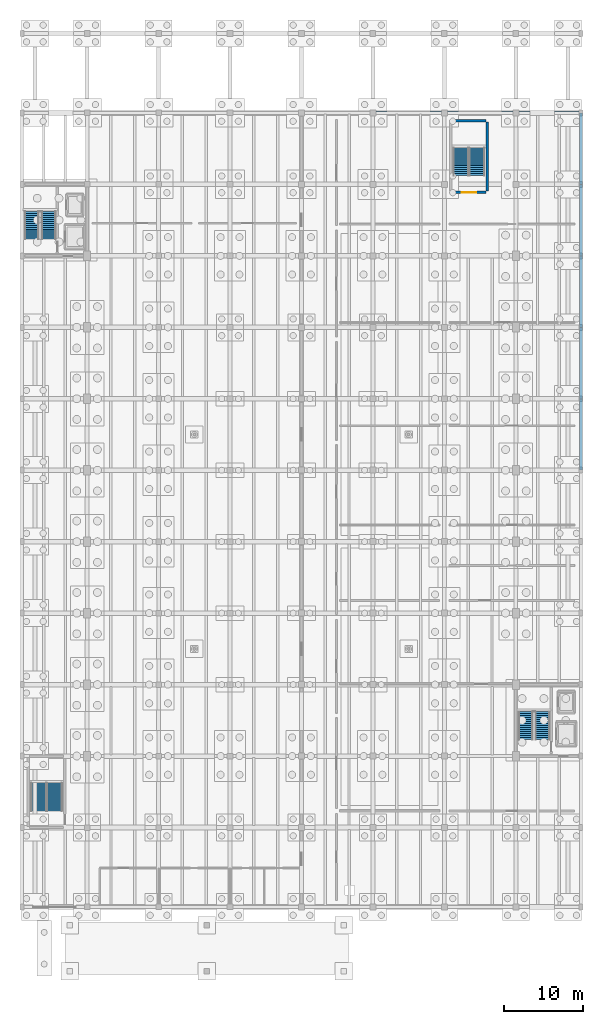
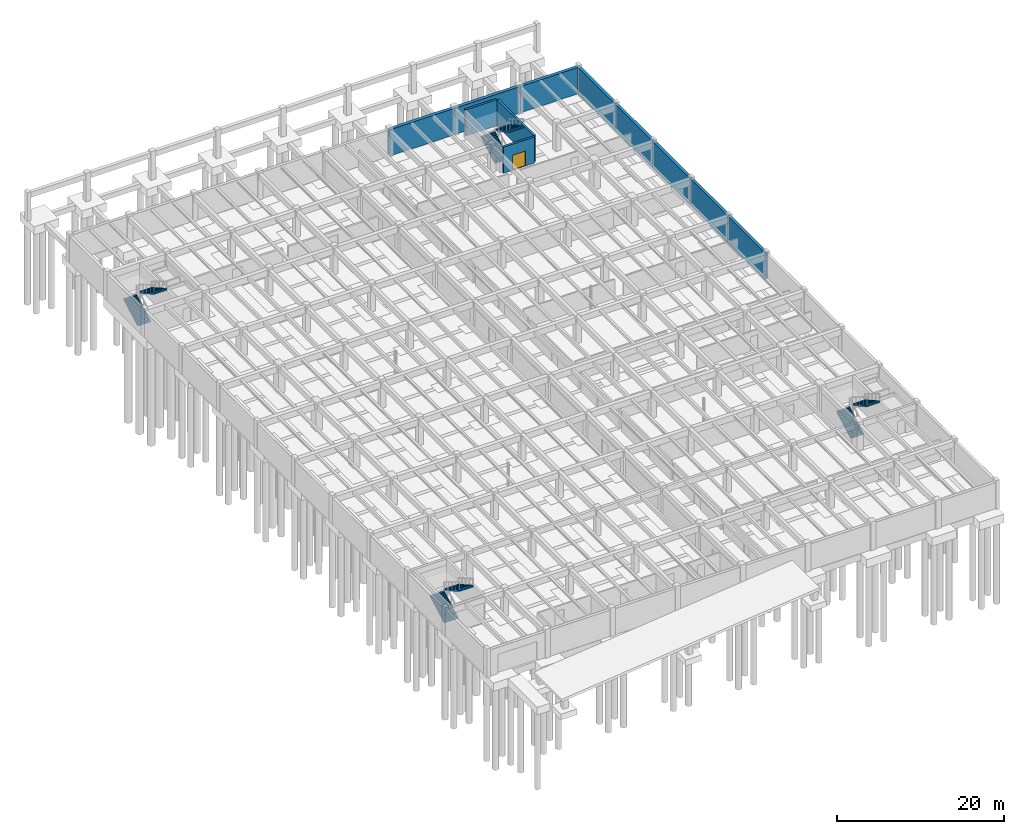
# One storey, part 21 of 23: 11 walls, 8 stair flights, 1 door, 1 opening, 4 elements without a shape of their own.
"""IFC4 building model written with IfcOpenShell, lengths in metres."""

from ifc_helpers import new_model, si_unit, direction, frame, frame_2d, origin, place, context, subcontext, project, spatial, polyline, rectangle, outline, extrude, material, layer, layer_set, type_object, element, fill, aggregate, save


model = new_model("IFC4")

# Units and contexts
model_context = context("Model", 3, precision=1e-05, world=origin(), true_north=direction((0.0, 1.0)))
body_context = subcontext(model_context, "Body", "Model", "MODEL_VIEW")
ifc_project = project(units=[si_unit("LENGTHUNIT", "METRE"), si_unit("AREAUNIT", "SQUARE_METRE"), si_unit("VOLUMEUNIT", "CUBIC_METRE"), si_unit("PLANEANGLEUNIT", "RADIAN"), si_unit("MASSUNIT", "GRAM", prefix="KILO")], contexts=[model_context])

# Site, building, storey
site_placement = place(None, origin())
site = spatial("IfcSite", under=ifc_project, at=site_placement, CompositionType="ELEMENT")
building_placement = place(site_placement, origin())
building = spatial("IfcBuilding", under=site, at=building_placement, Name="Ornek Quay Market", CompositionType="ELEMENT")
storey_placement = place(building_placement, frame((0.0, 0.0, -4.199951171875)))
storey = spatial("IfcBuildingStorey", under=building, at=storey_placement, Name="B1", CompositionType="ELEMENT", Elevation=-4.199951171875)

# Wall
ifc_material_1 = material(Name="Concrete C40/50", Category="concrete")
ifc_layer_1 = layer(ifc_material_1, 0.300048828125, Name="Concrete C40/50", Category="concrete")
ifc_layer_set_1 = layer_set([ifc_layer_1], Name="Concrete C40/50")
wall_type_1 = type_object("IfcWallType", Name="WL-CORE-300", PredefinedType="SHEAR", material=ifc_layer_set_1)
wall_1_placement = place(storey_placement, frame((113.39990234375, 100.14990234375, 0.0), z_axis=(0.0, 0.0, 1.0), x_axis=(0.0, 1.0, 0.0)))
element("IfcWall", 1, at=wall_1_placement, inside=storey, type_object=wall_type_1, Name="Interior wall W-CORE1-177", PredefinedType="SHEAR", context=body_context, shape_type="SweptSolid", body=[
    extrude(rectangle(XDim=8.7001953125, YDim=0.300048828125, at=frame_2d((4.35009765625, 0.0))), origin(), (0.0, 0.0, 1.0), 3.820068359375),
])

# Wall, opening, door
wall_2_placement = place(storey_placement, frame((108.949951171875, 100.0, 0.0), z_axis=(0.0, 0.0, 1.0), x_axis=(1.0, 0.0, 0.0)))
wall_2 = element("IfcWall", 2, at=wall_2_placement, inside=storey, type_object=wall_type_1, Name="Interior wall W-CORE1-178", PredefinedType="SHEAR", context=body_context, shape_type="SweptSolid", body=[
    extrude(rectangle(XDim=4.300048828125, YDim=0.300048828125, at=frame_2d((2.14990234375, 0.0))), origin(), (0.0, 0.0, 1.0), 3.820068359375),
])
opening_placement = place(wall_2_placement, frame((1.25, 0.0, 0.0)))
opening = element("IfcOpeningElement", 3, at=opening_placement, cuts=wall_2, Name="Opening FD-01-070", PredefinedType="OPENING", context=body_context, shape_type="SweptSolid", body=[
    extrude(rectangle(XDim=1.800048828125, YDim=2.199951171875, at=frame_2d((0.89990234375, 1.10009765625))), frame((0.0, 0.159912109375, 0.0), z_axis=(0.0, -1.0, 0.0), x_axis=(1.0, 0.0, 0.0)), (0.0, 0.0, 1.0), 0.320068359375),
])
ifc_material_2 = material(Name="Insulated fire-rated painted steel", Category="steel")
door_type = type_object("IfcDoorType", Name="DR-FIRE-DBL-1800x2200", OperationType="DOUBLE_DOOR_SINGLE_SWING", PredefinedType="DOOR", material=ifc_material_2)
door_placement = place(opening_placement, origin())
door = element("IfcDoor", 4, at=door_placement, inside=storey, type_object=door_type, Name="Interior door FD-01-070", OperationType="DOUBLE_DOOR_SINGLE_SWING", OverallHeight=2.199951171875, OverallWidth=1.800048828125, PredefinedType="DOOR", context=body_context, shape_type="SweptSolid", body=[
    extrude(rectangle(XDim=1.800048828125, YDim=2.199951171875, at=frame_2d((0.89990234375, 1.10009765625))), frame((0.0, 0.02490234375, 0.0), z_axis=(0.0, -1.0, 0.0), x_axis=(1.0, 0.0, 0.0)), (0.0, 0.0, 1.0), 0.050048828125),
])
fill(opening, door)

# Walls
wall_3_placement = place(storey_placement, frame((108.949951171875, 109.0, 0.0), z_axis=(0.0, 0.0, 1.0), x_axis=(1.0, 0.0, 0.0)))
element("IfcWall", 5, at=wall_3_placement, inside=storey, type_object=wall_type_1, Name="Interior wall W-CORE1-179", PredefinedType="SHEAR", context=body_context, shape_type="SweptSolid", body=[
    extrude(rectangle(XDim=4.300048828125, YDim=0.300048828125, at=frame_2d((2.14990234375, 0.0))), origin(), (0.0, 0.0, 1.0), 3.820068359375),
])
ifc_material_3 = material(Name="Concrete C35/45", Category="concrete")
ifc_layer_2 = layer(ifc_material_3, 0.39990234375, Name="Concrete C35/45", Category="concrete")
ifc_layer_set_2 = layer_set([ifc_layer_2], Name="Concrete C35/45")
wall_type_2 = type_object("IfcWallType", Name="WL-RET-400", PredefinedType="USERDEFINED", material=ifc_layer_set_2)
for number, where, z_axis, x_axis, name in (
    (6, (125.199951171875, 65.0, 0.0), (0.0, 0.0, 1.0), (0.0, 1.0, 0.0), "Exterior wall EW-030"),
    (7, (125.199951171875, 74.0, 0.0), (0.0, 0.0, 1.0), (0.0, 1.0, 0.0), "Exterior wall EW-032"),
    (8, (125.199951171875, 83.0, 0.0), (0.0, 0.0, 1.0), (0.0, 1.0, 0.0), "Exterior wall EW-034"),
    (9, (125.199951171875, 92.0, 0.0), (0.0, 0.0, 1.0), (0.0, 1.0, 0.0), "Exterior wall EW-036"),
    (10, (125.199951171875, 101.0, 0.0), (0.0, 0.0, 1.0), (0.0, 1.0, 0.0), "Exterior wall EW-038"),
):
    element("IfcWall", number, at=place(storey_placement, frame(where, z_axis=z_axis, x_axis=x_axis)), inside=storey, type_object=wall_type_2, Name=name, ObjectType="RETAINING WALL", PredefinedType="USERDEFINED", context=body_context, shape_type="SweptSolid", body=[
        extrude(rectangle(XDim=9.0, YDim=0.39990234375, at=frame_2d((4.5, 0.0))), origin(), (0.0, 0.0, 1.0), 3.85986328125),
    ])
ifc_layer_3 = layer(ifc_material_3, 0.449951171875, Name="Concrete C35/45", Category="concrete")
ifc_layer_set_3 = layer_set([ifc_layer_3], Name="Concrete C35/45")
wall_type_3 = type_object("IfcWallType", Name="WL-RET-450", PredefinedType="USERDEFINED", material=ifc_layer_set_3)
for number, where, z_axis, x_axis, name in (
    (11, (99.0, 110.0, 0.0), (0.0, 0.0, 1.0), (1.0, 0.0, 0.0), "Exterior wall EW-012"),
    (12, (108.0, 110.0, 0.0), (0.0, 0.0, 1.0), (1.0, 0.0, 0.0), "Exterior wall EW-014"),
):
    element("IfcWall", number, at=place(storey_placement, frame(where, z_axis=z_axis, x_axis=x_axis)), inside=storey, type_object=wall_type_3, Name=name, ObjectType="RETAINING WALL", PredefinedType="USERDEFINED", context=body_context, shape_type="SweptSolid", body=[
        extrude(rectangle(XDim=9.0, YDim=0.449951171875, at=frame_2d((4.5, 0.0))), origin(), (0.0, 0.0, 1.0), 3.85986328125),
    ])
wall_4_placement = place(storey_placement, frame((117.0, 110.0, 0.0), z_axis=(0.0, 0.0, 1.0), x_axis=(1.0, 0.0, 0.0)))
element("IfcWall", 13, at=wall_4_placement, inside=storey, type_object=wall_type_3, Name="Exterior wall EW-016", ObjectType="RETAINING WALL", PredefinedType="USERDEFINED", context=body_context, shape_type="SweptSolid", body=[
    extrude(rectangle(XDim=8.199951171875, YDim=0.449951171875, at=frame_2d((4.10009765625, 0.0))), origin(), (0.0, 0.0, 1.0), 3.85986328125),
])

# Stair, stair flights
ifc_material_4 = material(Name="Precast concrete C40/50", Category="concrete")
stair_type = type_object("IfcStairType", Name="ST-CORE-B1-L00", PredefinedType="HALF_TURN_STAIR", material=ifc_material_4)
stair_1_placement = place(storey_placement, origin())
stair_1 = element("IfcStair", 14, at=stair_1_placement, inside=storey, type_object=stair_type, Name="Core stair ST-03-B1 (B1 to L00)", PredefinedType="HALF_TURN_STAIR")
stair_flight_type = type_object("IfcStairFlightType", Name="STF-1800-WAIST200", PredefinedType="STRAIGHT", material=ifc_material_4)
stair_flight_1_placement = place(storey_placement, frame((56.0, 94.095947265625, 0.0), z_axis=(0.0, 0.0, 1.0), x_axis=(0.0, 1.0, 0.0)))
stair_flight_1 = element("IfcStairFlight", 15, at=stair_flight_1_placement, type_object=stair_flight_type, Name="ST-03-B1 flight 1", NumberOfRisers=15, NumberOfTreads=14, PredefinedType="STRAIGHT", RiserHeight=0.14, TreadLength=0.25, context=body_context, shape_type="SweptSolid", body=[
    extrude(outline(polyline([(0.0, 0.0), (0.0, 0.139892578125), (0.25, 0.139892578125), (0.25, 0.280029296875), (0.5, 0.280029296875), (0.5, 0.419921875), (0.75, 0.419921875), (0.75, 0.56005859375), (1.0, 0.56005859375), (1.0, 0.699951171875), (1.25, 0.699951171875), (1.25, 0.840087890625), (1.5, 0.840087890625), (1.5, 0.97998046875), (1.75, 0.97998046875), (1.75, 1.1201171875), (2.0, 1.1201171875), (2.0, 1.260009765625), (2.25, 1.260009765625), (2.25, 1.39990234375), (2.5, 1.39990234375), (2.5, 1.5400390625), (2.75, 1.5400390625), (2.75, 1.679931640625), (3.0, 1.679931640625), (3.0, 1.820068359375), (3.25, 1.820068359375), (3.25, 1.9599609375), (3.5, 1.9599609375), (3.5, 2.10009765625), (3.5, 1.770751953125), (0.337890625, 0.0), (0.0, 0.0)])), frame((0.0, 0.89990234375, 0.0), z_axis=(0.0, -1.0, 0.0), x_axis=(1.0, 0.0, 0.0)), (0.0, 0.0, 1.0), 1.800048828125),
])
stair_flight_2_placement = place(storey_placement, frame((58.199951171875, 97.595947265625, 2.099853515625), z_axis=(0.0, 0.0, 1.0), x_axis=(0.0, -1.0, 0.0)))
stair_flight_2 = element("IfcStairFlight", 16, at=stair_flight_2_placement, type_object=stair_flight_type, Name="ST-03-B1 flight 2", NumberOfRisers=15, NumberOfTreads=14, PredefinedType="STRAIGHT", RiserHeight=0.14, TreadLength=0.25, context=body_context, shape_type="SweptSolid", body=[
    extrude(outline(polyline([(0.0, 0.0), (0.0, 0.139892578125), (0.25, 0.139892578125), (0.25, 0.280029296875), (0.5, 0.280029296875), (0.5, 0.419921875), (0.75, 0.419921875), (0.75, 0.56005859375), (1.0, 0.56005859375), (1.0, 0.699951171875), (1.25, 0.699951171875), (1.25, 0.840087890625), (1.5, 0.840087890625), (1.5, 0.97998046875), (1.75, 0.97998046875), (1.75, 1.1201171875), (2.0, 1.1201171875), (2.0, 1.260009765625), (2.25, 1.260009765625), (2.25, 1.39990234375), (2.5, 1.39990234375), (2.5, 1.5400390625), (2.75, 1.5400390625), (2.75, 1.679931640625), (3.0, 1.679931640625), (3.0, 1.820068359375), (3.25, 1.820068359375), (3.25, 1.9599609375), (3.5, 1.9599609375), (3.5, 2.10009765625), (3.5, 1.770751953125), (0.337890625, 0.0), (0.0, 0.0)])), frame((0.0, 0.89990234375, 0.0), z_axis=(0.0, -1.0, 0.0), x_axis=(1.0, 0.0, 0.0)), (0.0, 0.0, 1.0), 1.800048828125),
])
aggregate(stair_1, [stair_flight_1, stair_flight_2])

stair_2_placement = place(storey_placement, origin())
stair_2 = element("IfcStair", 17, at=stair_2_placement, inside=storey, type_object=stair_type, Name="Core stair ST-04-B1 (B1 to L00)", PredefinedType="HALF_TURN_STAIR")
stair_flight_3_placement = place(storey_placement, frame((118.199951171875, 31.095947265625, 0.0), z_axis=(0.0, 0.0, 1.0), x_axis=(0.0, 1.0, 0.0)))
stair_flight_3 = element("IfcStairFlight", 18, at=stair_flight_3_placement, type_object=stair_flight_type, Name="ST-04-B1 flight 1", NumberOfRisers=15, NumberOfTreads=14, PredefinedType="STRAIGHT", RiserHeight=0.14, TreadLength=0.25, context=body_context, shape_type="SweptSolid", body=[
    extrude(outline(polyline([(0.0, 0.0), (0.0, 0.139892578125), (0.25, 0.139892578125), (0.25, 0.280029296875), (0.5, 0.280029296875), (0.5, 0.419921875), (0.75, 0.419921875), (0.75, 0.56005859375), (1.0, 0.56005859375), (1.0, 0.699951171875), (1.25, 0.699951171875), (1.25, 0.840087890625), (1.5, 0.840087890625), (1.5, 0.97998046875), (1.75, 0.97998046875), (1.75, 1.1201171875), (2.0, 1.1201171875), (2.0, 1.260009765625), (2.25, 1.260009765625), (2.25, 1.39990234375), (2.5, 1.39990234375), (2.5, 1.5400390625), (2.75, 1.5400390625), (2.75, 1.679931640625), (3.0, 1.679931640625), (3.0, 1.820068359375), (3.25, 1.820068359375), (3.25, 1.9599609375), (3.5, 1.9599609375), (3.5, 2.10009765625), (3.5, 1.770751953125), (0.337890625, 0.0), (0.0, 0.0)])), frame((0.0, 0.89990234375, 0.0), z_axis=(0.0, -1.0, 0.0), x_axis=(1.0, 0.0, 0.0)), (0.0, 0.0, 1.0), 1.800048828125),
])
stair_flight_4_placement = place(storey_placement, frame((120.39990234375, 34.595947265625, 2.099853515625), z_axis=(0.0, 0.0, 1.0), x_axis=(0.0, -1.0, 0.0)))
stair_flight_4 = element("IfcStairFlight", 19, at=stair_flight_4_placement, type_object=stair_flight_type, Name="ST-04-B1 flight 2", NumberOfRisers=15, NumberOfTreads=14, PredefinedType="STRAIGHT", RiserHeight=0.14, TreadLength=0.25, context=body_context, shape_type="SweptSolid", body=[
    extrude(outline(polyline([(0.0, 0.0), (0.0, 0.139892578125), (0.25, 0.139892578125), (0.25, 0.280029296875), (0.5, 0.280029296875), (0.5, 0.419921875), (0.75, 0.419921875), (0.75, 0.56005859375), (1.0, 0.56005859375), (1.0, 0.699951171875), (1.25, 0.699951171875), (1.25, 0.840087890625), (1.5, 0.840087890625), (1.5, 0.97998046875), (1.75, 0.97998046875), (1.75, 1.1201171875), (2.0, 1.1201171875), (2.0, 1.260009765625), (2.25, 1.260009765625), (2.25, 1.39990234375), (2.5, 1.39990234375), (2.5, 1.5400390625), (2.75, 1.5400390625), (2.75, 1.679931640625), (3.0, 1.679931640625), (3.0, 1.820068359375), (3.25, 1.820068359375), (3.25, 1.9599609375), (3.5, 1.9599609375), (3.5, 2.10009765625), (3.5, 1.770751953125), (0.337890625, 0.0), (0.0, 0.0)])), frame((0.0, 0.89990234375, 0.0), z_axis=(0.0, -1.0, 0.0), x_axis=(1.0, 0.0, 0.0)), (0.0, 0.0, 1.0), 1.800048828125),
])
aggregate(stair_2, [stair_flight_3, stair_flight_4])

stair_3_placement = place(storey_placement, origin())
stair_3 = element("IfcStair", 20, at=stair_3_placement, inside=storey, type_object=stair_type, Name="Basement exit stair ST-18 (B1 to L00)", PredefinedType="HALF_TURN_STAIR")
stair_flight_5_placement = place(storey_placement, frame((56.875, 22.095947265625, 0.0), z_axis=(0.0, 0.0, 1.0), x_axis=(0.0, 1.0, 0.0)))
stair_flight_5 = element("IfcStairFlight", 21, at=stair_flight_5_placement, type_object=stair_flight_type, Name="ST-18 flight 1", NumberOfRisers=15, NumberOfTreads=14, PredefinedType="STRAIGHT", RiserHeight=0.14, TreadLength=0.25, context=body_context, shape_type="SweptSolid", body=[
    extrude(outline(polyline([(0.0, 0.0), (0.0, 0.139892578125), (0.25, 0.139892578125), (0.25, 0.280029296875), (0.5, 0.280029296875), (0.5, 0.419921875), (0.75, 0.419921875), (0.75, 0.56005859375), (1.0, 0.56005859375), (1.0, 0.699951171875), (1.25, 0.699951171875), (1.25, 0.840087890625), (1.5, 0.840087890625), (1.5, 0.97998046875), (1.75, 0.97998046875), (1.75, 1.1201171875), (2.0, 1.1201171875), (2.0, 1.260009765625), (2.25, 1.260009765625), (2.25, 1.39990234375), (2.5, 1.39990234375), (2.5, 1.5400390625), (2.75, 1.5400390625), (2.75, 1.679931640625), (3.0, 1.679931640625), (3.0, 1.820068359375), (3.25, 1.820068359375), (3.25, 1.9599609375), (3.5, 1.9599609375), (3.5, 2.10009765625), (3.5, 1.770751953125), (0.337890625, 0.0), (0.0, 0.0)])), frame((0.0, 0.97509765625, 0.0), z_axis=(0.0, -1.0, 0.0), x_axis=(1.0, 0.0, 0.0)), (0.0, 0.0, 1.0), 1.949951171875),
])
stair_flight_6_placement = place(storey_placement, frame((58.925048828125, 25.595947265625, 2.099853515625), z_axis=(0.0, 0.0, 1.0), x_axis=(0.0, -1.0, 0.0)))
stair_flight_6 = element("IfcStairFlight", 22, at=stair_flight_6_placement, type_object=stair_flight_type, Name="ST-18 flight 2", NumberOfRisers=15, NumberOfTreads=14, PredefinedType="STRAIGHT", RiserHeight=0.14, TreadLength=0.25, context=body_context, shape_type="SweptSolid", body=[
    extrude(outline(polyline([(0.0, 0.0), (0.0, 0.139892578125), (0.25, 0.139892578125), (0.25, 0.280029296875), (0.5, 0.280029296875), (0.5, 0.419921875), (0.75, 0.419921875), (0.75, 0.56005859375), (1.0, 0.56005859375), (1.0, 0.699951171875), (1.25, 0.699951171875), (1.25, 0.840087890625), (1.5, 0.840087890625), (1.5, 0.97998046875), (1.75, 0.97998046875), (1.75, 1.1201171875), (2.0, 1.1201171875), (2.0, 1.260009765625), (2.25, 1.260009765625), (2.25, 1.39990234375), (2.5, 1.39990234375), (2.5, 1.5400390625), (2.75, 1.5400390625), (2.75, 1.679931640625), (3.0, 1.679931640625), (3.0, 1.820068359375), (3.25, 1.820068359375), (3.25, 1.9599609375), (3.5, 1.9599609375), (3.5, 2.10009765625), (3.5, 1.770751953125), (0.337890625, 0.0), (0.0, 0.0)])), frame((0.0, 0.97509765625, 0.0), z_axis=(0.0, -1.0, 0.0), x_axis=(1.0, 0.0, 0.0)), (0.0, 0.0, 1.0), 1.949951171875),
])
aggregate(stair_3, [stair_flight_5, stair_flight_6])

stair_4_placement = place(storey_placement, origin())
stair_4 = element("IfcStair", 23, at=stair_4_placement, inside=storey, type_object=stair_type, Name="Basement exit stair ST-19 (B1 to L00)", PredefinedType="HALF_TURN_STAIR")
stair_flight_7_placement = place(storey_placement, frame((110.074951171875, 102.095947265625, 0.0), z_axis=(0.0, 0.0, 1.0), x_axis=(0.0, 1.0, 0.0)))
stair_flight_7 = element("IfcStairFlight", 24, at=stair_flight_7_placement, type_object=stair_flight_type, Name="ST-19 flight 1", NumberOfRisers=15, NumberOfTreads=14, PredefinedType="STRAIGHT", RiserHeight=0.14, TreadLength=0.25, context=body_context, shape_type="SweptSolid", body=[
    extrude(outline(polyline([(0.0, 0.0), (0.0, 0.139892578125), (0.25, 0.139892578125), (0.25, 0.280029296875), (0.5, 0.280029296875), (0.5, 0.419921875), (0.75, 0.419921875), (0.75, 0.56005859375), (1.0, 0.56005859375), (1.0, 0.699951171875), (1.25, 0.699951171875), (1.25, 0.840087890625), (1.5, 0.840087890625), (1.5, 0.97998046875), (1.75, 0.97998046875), (1.75, 1.1201171875), (2.0, 1.1201171875), (2.0, 1.260009765625), (2.25, 1.260009765625), (2.25, 1.39990234375), (2.5, 1.39990234375), (2.5, 1.5400390625), (2.75, 1.5400390625), (2.75, 1.679931640625), (3.0, 1.679931640625), (3.0, 1.820068359375), (3.25, 1.820068359375), (3.25, 1.9599609375), (3.5, 1.9599609375), (3.5, 2.10009765625), (3.5, 1.770751953125), (0.337890625, 0.0), (0.0, 0.0)])), frame((0.0, 0.97509765625, 0.0), z_axis=(0.0, -1.0, 0.0), x_axis=(1.0, 0.0, 0.0)), (0.0, 0.0, 1.0), 1.949951171875),
])
stair_flight_8_placement = place(storey_placement, frame((112.125, 105.595947265625, 2.099853515625), z_axis=(0.0, 0.0, 1.0), x_axis=(0.0, -1.0, 0.0)))
stair_flight_8 = element("IfcStairFlight", 25, at=stair_flight_8_placement, type_object=stair_flight_type, Name="ST-19 flight 2", NumberOfRisers=15, NumberOfTreads=14, PredefinedType="STRAIGHT", RiserHeight=0.14, TreadLength=0.25, context=body_context, shape_type="SweptSolid", body=[
    extrude(outline(polyline([(0.0, 0.0), (0.0, 0.139892578125), (0.25, 0.139892578125), (0.25, 0.280029296875), (0.5, 0.280029296875), (0.5, 0.419921875), (0.75, 0.419921875), (0.75, 0.56005859375), (1.0, 0.56005859375), (1.0, 0.699951171875), (1.25, 0.699951171875), (1.25, 0.840087890625), (1.5, 0.840087890625), (1.5, 0.97998046875), (1.75, 0.97998046875), (1.75, 1.1201171875), (2.0, 1.1201171875), (2.0, 1.260009765625), (2.25, 1.260009765625), (2.25, 1.39990234375), (2.5, 1.39990234375), (2.5, 1.5400390625), (2.75, 1.5400390625), (2.75, 1.679931640625), (3.0, 1.679931640625), (3.0, 1.820068359375), (3.25, 1.820068359375), (3.25, 1.9599609375), (3.5, 1.9599609375), (3.5, 2.10009765625), (3.5, 1.770751953125), (0.337890625, 0.0), (0.0, 0.0)])), frame((0.0, 0.97509765625, 0.0), z_axis=(0.0, -1.0, 0.0), x_axis=(1.0, 0.0, 0.0)), (0.0, 0.0, 1.0), 1.949951171875),
])
aggregate(stair_4, [stair_flight_7, stair_flight_8])

save(model, "model.ifc")
